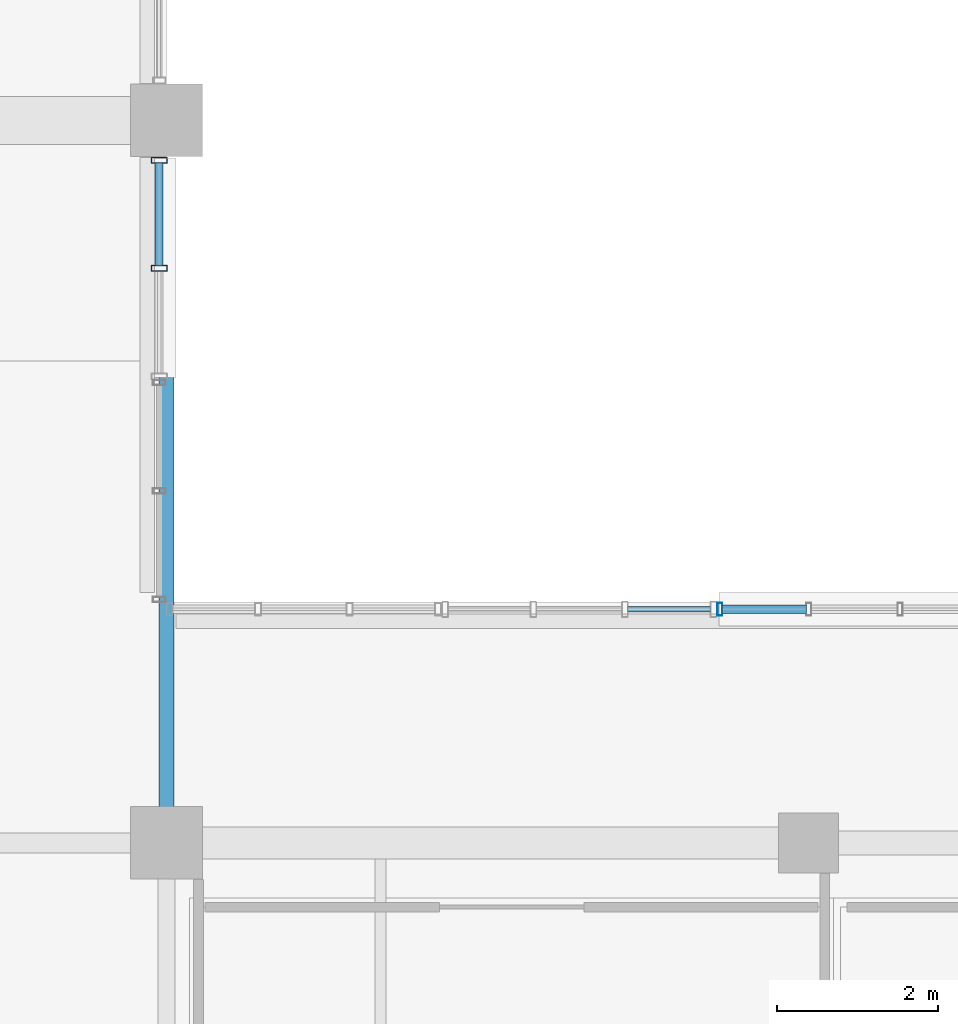
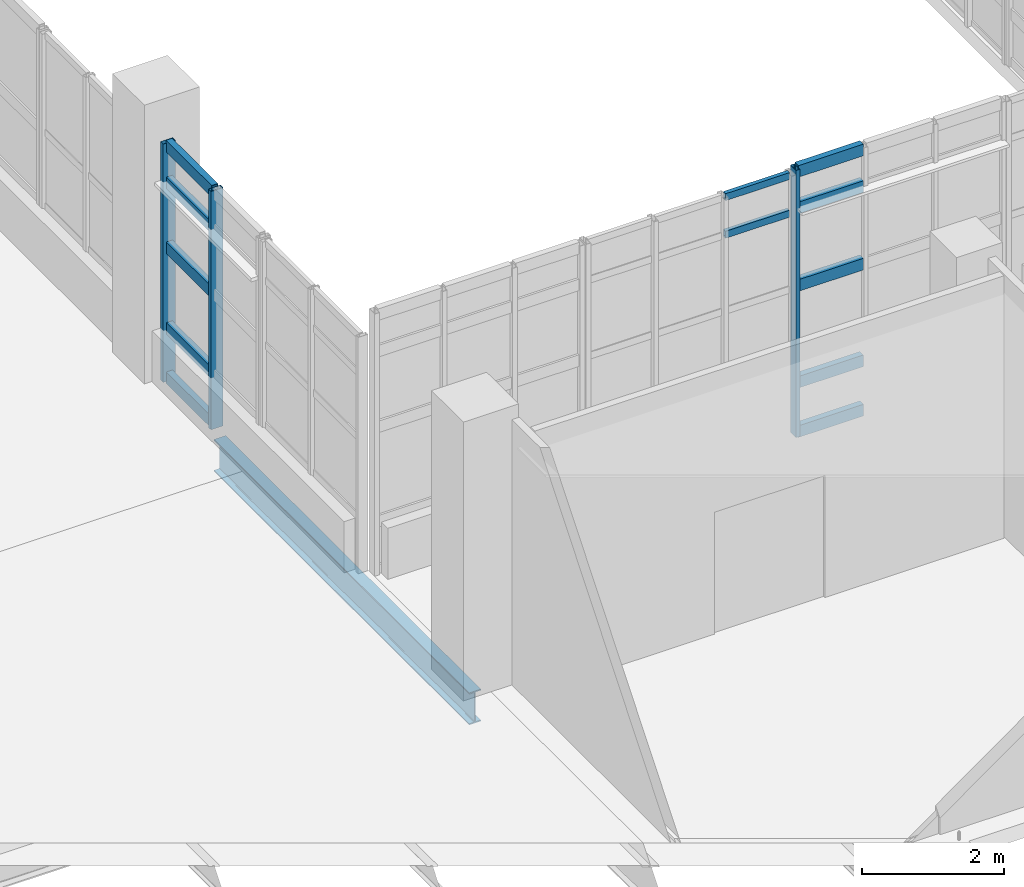
# One storey, part 22 of 102: 15 members, 1 beam, 3 elements without a shape of their own.
"""IFC4 building model written with IfcOpenShell, lengths in metres."""

import ifcopenshell
import ifcopenshell.guid

model = None  # the IFC model being written
_history = None  # IfcOwnerHistory: only IFC2X3 demands one
_inside = {}  # id of a spatial element -> (the spatial element, [elements in it])
_under = {}  # id of a project, library or spatial element -> (it, [spatial elements below it])
_declared = {}  # id of a project -> (the project, [libraries it declares])
_typed = {}  # id of a type object -> (the type object, [elements of that type])
_made_of = {}  # id of a material, layer set ... -> (it, [elements and type objects made of it])


def new_model(schema):
    """Start an empty IFC model of exactly this schema.

    Asked for "IFC4X3", IfcOpenShell would pick the latest addendum, in which some entities
    have other attributes; the version numbers below select the first issue.
    IFC2X3 requires an IfcOwnerHistory on every rooted entity: one is made here for all.
    """
    global model, _history
    if schema == "IFC4X3":
        model = ifcopenshell.file(schema_version=(4, 3, 0, 0))
    else:
        model = ifcopenshell.file(schema=schema)
    _inside.clear()
    _under.clear()
    _declared.clear()
    _typed.clear()
    _made_of.clear()
    _history = None
    if model.schema == "IFC2X3":
        org = make("IfcOrganization", Name="unknown")
        user = make(
            "IfcPersonAndOrganization",
            ThePerson=make("IfcPerson", FamilyName="unknown"),
            TheOrganization=org,
        )
        app = make(
            "IfcApplication",
            ApplicationDeveloper=org,
            Version="unknown",
            ApplicationFullName="unknown",
            ApplicationIdentifier="unknown",
        )
        _history = make(
            "IfcOwnerHistory",
            OwningUser=user,
            OwningApplication=app,
            ChangeAction="ADDED",
            CreationDate=0,
        )
    return model


def make(cls, **values):
    """One entity of the class cls with the attributes given. An attribute that is None is left unset."""
    return model.create_entity(
        cls, **{name: value for name, value in values.items() if value is not None}
    )


def rooted(cls, **values):
    """An entity with a GlobalId (a new one), such as an element, a storey or a relation."""
    return make(cls, GlobalId=ifcopenshell.guid.new(), OwnerHistory=_history, **values)


def si_unit(unit_type, name, prefix=None):
    """IfcSIUnit, for example si_unit("LENGTHUNIT", "METRE", prefix="MILLI")."""
    return make("IfcSIUnit", UnitType=unit_type, Prefix=prefix, Name=name)


def derived_unit(unit_type, elements):
    """IfcDerivedUnit: a product of units, each with its exponent."""
    return make(
        "IfcDerivedUnit",
        Elements=[
            make("IfcDerivedUnitElement", Unit=unit, Exponent=power)
            for unit, power in elements
        ],
        UnitType=unit_type,
    )


def assignment(units):
    """IfcUnitAssignment: the units of a project."""
    return None if units is None else make("IfcUnitAssignment", Units=units)


def point(xyz):
    """IfcCartesianPoint."""
    return None if xyz is None else make("IfcCartesianPoint", Coordinates=xyz)


def direction(xyz):
    """IfcDirection."""
    return None if xyz is None else make("IfcDirection", DirectionRatios=xyz)


def frame(location, z_axis=None, x_axis=None):
    """IfcAxis2Placement3D, a coordinate frame: its origin and axes. An axis left out is left unset."""
    return make(
        "IfcAxis2Placement3D",
        Location=point(location),
        Axis=direction(z_axis),
        RefDirection=direction(x_axis),
    )


def frame_2d(location, x_axis=None):
    """IfcAxis2Placement2D, a coordinate frame in the plane: its origin and x axis."""
    return make(
        "IfcAxis2Placement2D", Location=point(location), RefDirection=direction(x_axis)
    )


def origin():
    """The frame at (0, 0, 0) with its axes left unset."""
    return frame((0.0, 0.0, 0.0))


def origin_2d():
    """The frame at (0, 0) in the plane with its x axis left unset."""
    return frame_2d((0.0, 0.0))


def place(relative_to, where):
    """IfcLocalPlacement: puts the frame where relative to a parent placement (None: the world)."""
    return make(
        "IfcLocalPlacement", PlacementRelTo=relative_to, RelativePlacement=where
    )


def context(
    kind, dimensions, precision=None, world=None, true_north=None, identifier=None
):
    """IfcGeometricRepresentationContext, for example the 3D "Model" context."""
    return make(
        "IfcGeometricRepresentationContext",
        ContextIdentifier=identifier,
        ContextType=kind,
        CoordinateSpaceDimension=dimensions,
        Precision=precision,
        WorldCoordinateSystem=world,
        TrueNorth=true_north,
    )


def subcontext(parent, identifier, kind, view, scale=None):
    """IfcGeometricRepresentationSubContext, for example "Body" below "Model"."""
    return make(
        "IfcGeometricRepresentationSubContext",
        ContextIdentifier=identifier,
        ContextType=kind,
        ParentContext=parent,
        TargetScale=scale,
        TargetView=view,
    )


def project(units=None, contexts=None):
    """IfcProject with its units and contexts."""
    return rooted(
        "IfcProject",
        Name="project",
        RepresentationContexts=contexts,
        UnitsInContext=assignment(units),
    )


def spatial(cls, under=None, at=None, **own):
    """A site, building, storey or space (cls), placed at a placement, below another one or the project."""
    s = rooted(cls, ObjectPlacement=at, **own)
    if under is not None:
        _under.setdefault(under.id(), (under, []))[1].append(s)
    return s


def profile(cls, at=None, kind="AREA", **sizes):
    """A parametric profile (cls). Its sizes go by their IFC names, for example OverallWidth=200.0."""
    return make(cls, ProfileType=kind, Position=at, **sizes)


def hollow_rectangle(**sizes):
    """IfcRectangleHollowProfileDef."""
    return profile("IfcRectangleHollowProfileDef", **sizes)


def i_section(**sizes):
    """IfcIShapeProfileDef."""
    return profile("IfcIShapeProfileDef", **sizes)


def extrude(swept, where, along, depth):
    """IfcExtrudedAreaSolid: the profile swept, set in the frame where, extruded along a direction by depth."""
    return make(
        "IfcExtrudedAreaSolid",
        SweptArea=swept,
        Position=where,
        ExtrudedDirection=direction(along),
        Depth=depth,
    )


def shape(context_of_items, identifier, shape_type, items):
    """IfcShapeRepresentation: the items that make up one representation, for example the "Body"."""
    return make(
        "IfcShapeRepresentation",
        ContextOfItems=context_of_items,
        RepresentationIdentifier=identifier,
        RepresentationType=shape_type,
        Items=items,
    )


def material(Name=None, Category=None):
    """IfcMaterial."""
    return make("IfcMaterial", Name=Name, Category=Category)


def layer(
    of_material, thickness, ventilated=None, Name=None, Category=None, Priority=None
):
    """IfcMaterialLayer: one layer of a wall or slab, of a material (None: an air gap)."""
    return make(
        "IfcMaterialLayer",
        Material=of_material,
        LayerThickness=thickness,
        IsVentilated=ventilated,
        Name=Name,
        Category=Category,
        Priority=Priority,
    )


def layer_set(layers, Name=None):
    """IfcMaterialLayerSet."""
    return make("IfcMaterialLayerSet", MaterialLayers=layers, LayerSetName=Name)


def material_profile(
    of_material, cross_section, Name=None, Category=None, Priority=None
):
    """IfcMaterialProfile: a cross section and its material."""
    return make(
        "IfcMaterialProfile",
        Name=Name,
        Material=of_material,
        Profile=cross_section,
        Priority=Priority,
        Category=Category,
    )


def profile_set(profiles, Name=None, composite=None):
    """IfcMaterialProfileSet."""
    return make(
        "IfcMaterialProfileSet",
        Name=Name,
        MaterialProfiles=profiles,
        CompositeProfile=composite,
    )


def made_of(thing, what):
    """Note that an element or type object is made of a material, layer set ...; save() writes the relation."""
    if what is not None:
        _made_of.setdefault(what.id(), (what, []))[1].append(thing)
    return thing


def type_object(cls, material=None, **own):
    """A type object (cls), such as IfcWallType, which elements share."""
    return made_of(rooted(cls, **own), material)


def element(
    cls,
    number,
    at=None,
    inside=None,
    cuts=None,
    type_object=None,
    material=None,
    context=None,
    identifier="Body",
    shape_type=None,
    held_by="IfcProductDefinitionShape",
    body=None,
    shapes=None,
    **own,
):
    """One element of the class cls, such as IfcWall. Its Tag is "e" and its number.

    at: its placement. inside: the storey or other place that contains it. cuts: it is an
    opening in that element (IfcRelVoidsElement). A single representation is given by context,
    identifier, shape_type and body (its items); several are given by shapes. held_by: the class
    of the entity that holds the representations. save() writes the other relations.
    """
    e = rooted(cls, Tag="e%d" % number, ObjectPlacement=at, **own)
    if body is not None:
        shapes = [shape(context, identifier, shape_type, body)]
    if shapes is not None:
        e.Representation = make(held_by, Representations=shapes)
    if inside is not None:
        _inside.setdefault(inside.id(), (inside, []))[1].append(e)
    if cuts is not None:
        rooted(
            "IfcRelVoidsElement", RelatingBuildingElement=cuts, RelatedOpeningElement=e
        )
    if type_object is not None:
        _typed.setdefault(type_object.id(), (type_object, []))[1].append(e)
    return made_of(e, material)


def aggregate(whole, parts):
    """IfcRelAggregates: a whole, such as a stair, and the parts it consists of."""
    return rooted("IfcRelAggregates", RelatingObject=whole, RelatedObjects=parts)


def save(model, path):
    """Write the relations noted so far, then the file.

    IfcRelAggregates (storeys below a building ...), IfcRelContainedInSpatialStructure (elements
    in a storey), IfcRelDefinesByType, IfcRelAssociatesMaterial and IfcRelDeclares: one each for
    every whole, place, type object, material and project.
    """
    for whole, parts in _under.values():
        aggregate(whole, parts)
    for where, things in _inside.values():
        rooted(
            "IfcRelContainedInSpatialStructure",
            RelatedElements=things,
            RelatingStructure=where,
        )
    for kind, things in _typed.values():
        rooted("IfcRelDefinesByType", RelatedObjects=things, RelatingType=kind)
    for what, things in _made_of.values():
        rooted("IfcRelAssociatesMaterial", RelatedObjects=things, RelatingMaterial=what)
    for by, libraries in _declared.values():
        rooted("IfcRelDeclares", RelatingContext=by, RelatedDefinitions=libraries)
    model.write(path)


model = new_model("IFC4")

# Units and contexts
model_context = context("Model", 3, precision=1e-05, world=origin(), true_north=direction((0.0, 1.0)))
body_context = subcontext(model_context, "Body", "Model", "MODEL_VIEW")
ifc_project = project(units=[si_unit("LENGTHUNIT", "METRE"), si_unit("AREAUNIT", "SQUARE_METRE"), si_unit("VOLUMEUNIT", "CUBIC_METRE"), si_unit("PLANEANGLEUNIT", "RADIAN"), si_unit("MASSUNIT", "GRAM", prefix="KILO"), derived_unit("THERMALTRANSMITTANCEUNIT", [(si_unit("POWERUNIT", "WATT"), 1), (si_unit("LENGTHUNIT", "METRE"), -2), (si_unit("THERMODYNAMICTEMPERATUREUNIT", "KELVIN"), -1)])], contexts=[model_context])

# Site, building, storey
site_placement = place(None, origin())
site = spatial("IfcSite", under=ifc_project, at=site_placement, CompositionType="ELEMENT")
building_placement = place(site_placement, origin())
building = spatial("IfcBuilding", under=site, at=building_placement, Name="Nallur Shell Playhouse", CompositionType="ELEMENT")
storey_placement = place(building_placement, frame((0.0, 0.0, 15.0)))
storey = spatial("IfcBuildingStorey", under=building, at=storey_placement, Name="L04", CompositionType="ELEMENT", Elevation=15.0)

# Beam
ifc_material_1 = material(Name="Steel E350", Category="steel")
ifc_material_profile_1 = material_profile(ifc_material_1, i_section(OverallWidth=0.18994140625, OverallDepth=0.550048828125, WebThickness=0.01123046875, FlangeThickness=0.019287109375, FilletRadius=0.01806640625, at=origin_2d()), Name="ISMB 550")
ifc_profile_set_1 = profile_set([ifc_material_profile_1], Name="Steel E350")
beam_type = type_object("IfcBeamType", Name="BM-ST-ISMB550", PredefinedType="BEAM", material=ifc_profile_set_1)
beam_placement = place(storey_placement, frame((40.0, 41.0, -0.534912109375), z_axis=(0.0, 1.0, 0.0), x_axis=(-1.0, 0.0, 0.0)))
element("IfcBeam", 1, at=beam_placement, inside=storey, type_object=beam_type, Name="L04 girder Y-5-825", PredefinedType="BEAM", context=body_context, shape_type="SweptSolid", body=[
    extrude(i_section(OverallWidth=0.18994140625, OverallDepth=0.550048828125, WebThickness=0.01123046875, FlangeThickness=0.019287109375, FilletRadius=0.01806640625, at=origin_2d()), origin(), (0.0, 0.0, 1.0), 7.199951171875),
])

# Curtain wall, member
ifc_material_2 = material(Name="Anodised Aluminium Double-Glazed Facade System", Category="aluminium")
ifc_layer_1 = layer(ifc_material_2, 0.16796875)
ifc_layer_set_1 = layer_set([ifc_layer_1], Name="Anodised Aluminium Double-Glazed Facade System")
curtain_wall_type_1 = type_object("IfcCurtainWallType", Name="CW-UNIT-20", PredefinedType="NOTDEFINED", material=ifc_layer_set_1)
curtain_wall_1_placement = place(storey_placement, origin())
curtain_wall_1 = element("IfcCurtainWall", 2, at=curtain_wall_1_placement, inside=storey, type_object=curtain_wall_type_1, Name="Unitised curtain wall CW-148 (L04)", PredefinedType="NOTDEFINED")
ifc_material_3 = material(Name="Aluminium Alloy 6063-T6 Mullion", Category="aluminium")
ifc_material_profile_2 = material_profile(ifc_material_3, hollow_rectangle(XDim=0.06494140625, YDim=0.159912109375, WallThickness=0.00390625, at=origin_2d()), Name="ALU 65x160x4")
ifc_profile_set_2 = profile_set([ifc_material_profile_2], Name="Aluminium Alloy 6063-T6 Mullion")
member_type_1 = type_object("IfcMemberType", Name="MB-CW-MUL160", PredefinedType="MULLION", material=ifc_profile_set_2)
member_1_placement = place(storey_placement, frame((46.89453125, 43.909912109375, -0.014892578125), z_axis=(0.0, 0.0, 1.0), x_axis=(1.0, 0.0, 0.0)))
member_1 = element("IfcMember", 3, at=member_1_placement, type_object=member_type_1, Name="CW-20 mullion 1", PredefinedType="MULLION", context=body_context, shape_type="SweptSolid", body=[
    extrude(hollow_rectangle(XDim=0.06494140625, YDim=0.159912109375, WallThickness=0.00390625, at=origin_2d()), origin(), (0.0, 0.0, 1.0), 4.598876953125),
])

# Curtain wall, members
ifc_layer_2 = layer(ifc_material_2, 0.176025390625)
ifc_layer_set_2 = layer_set([ifc_layer_2], Name="Anodised Aluminium Double-Glazed Facade System")
curtain_wall_type_2 = type_object("IfcCurtainWallType", Name="CW-UNIT-16", PredefinedType="NOTDEFINED", material=ifc_layer_set_2)
curtain_wall_2_placement = place(storey_placement, origin())
curtain_wall_2 = element("IfcCurtainWall", 4, at=curtain_wall_2_placement, inside=storey, type_object=curtain_wall_type_2, Name="Unitised curtain wall CW-144 (L04)", PredefinedType="NOTDEFINED")
ifc_material_profile_3 = material_profile(ifc_material_3, hollow_rectangle(XDim=0.074951171875, YDim=0.199951171875, WallThickness=0.0048828125, at=origin_2d()), Name="ALU 75x200x5")
ifc_profile_set_3 = profile_set([ifc_material_profile_3], Name="Aluminium Alloy 6063-T6 Mullion")
member_type_2 = type_object("IfcMemberType", Name="MB-CW-MUL180", PredefinedType="MULLION", material=ifc_profile_set_3)
member_2_placement = place(storey_placement, frame((39.909912109375, 49.50439453125, -0.014892578125), z_axis=(0.0, 0.0, 1.0), x_axis=(0.0, -1.0, 0.0)))
member_2 = element("IfcMember", 5, at=member_2_placement, type_object=member_type_2, Name="CW-16 mullion 1", PredefinedType="MULLION", context=body_context, shape_type="SweptSolid", body=[
    extrude(hollow_rectangle(XDim=0.074951171875, YDim=0.199951171875, WallThickness=0.0048828125, at=origin_2d()), origin(), (0.0, 0.0, 1.0), 4.10400390625),
])
member_3_placement = place(storey_placement, frame((39.909912109375, 48.158935546875, -0.014892578125), z_axis=(0.0, 0.0, 1.0), x_axis=(0.0, -1.0, 0.0)))
member_3 = element("IfcMember", 6, at=member_3_placement, type_object=member_type_2, Name="CW-16 mullion 2", PredefinedType="MULLION", context=body_context, shape_type="SweptSolid", body=[
    extrude(hollow_rectangle(XDim=0.074951171875, YDim=0.199951171875, WallThickness=0.0048828125, at=origin_2d()), origin(), (0.0, 0.0, 1.0), 4.10400390625),
])

ifc_layer_3 = layer(ifc_material_2, 0.1640625)
ifc_layer_set_3 = layer_set([ifc_layer_3], Name="Anodised Aluminium Double-Glazed Facade System")
curtain_wall_type_3 = type_object("IfcCurtainWallType", Name="CW-UNIT-19", PredefinedType="NOTDEFINED", material=ifc_layer_set_3)
curtain_wall_3_placement = place(storey_placement, origin())
curtain_wall_3 = element("IfcCurtainWall", 7, at=curtain_wall_3_placement, inside=storey, type_object=curtain_wall_type_3, Name="Unitised curtain wall CW-147 (L04)", PredefinedType="NOTDEFINED")
ifc_material_4 = material(Name="Aluminium Alloy 6063-T6 Transom", Category="aluminium")
ifc_material_profile_4 = material_profile(ifc_material_4, hollow_rectangle(XDim=0.06494140625, YDim=0.1201171875, WallThickness=0.00390625, at=origin_2d()), Name="ALU 65x120x4")
ifc_profile_set_4 = profile_set([ifc_material_profile_4], Name="Aluminium Alloy 6063-T6 Transom")
member_type_3 = type_object("IfcMemberType", Name="MB-CW-TRN120", PredefinedType="USERDEFINED", material=ifc_profile_set_4)
member_4_placement = place(storey_placement, frame((45.7421875, 43.909912109375, 3.840087890625), z_axis=(1.0, 0.0, 0.0), x_axis=(0.0, 1.0, 0.0)))
member_4 = element("IfcMember", 8, at=member_4_placement, type_object=member_type_3, Name="CW-19 transom 3.4", ObjectType="TRANSOM", PredefinedType="USERDEFINED", context=body_context, shape_type="SweptSolid", body=[
    extrude(hollow_rectangle(XDim=0.06494140625, YDim=0.1201171875, WallThickness=0.00390625, at=origin_2d()), origin(), (0.0, 0.0, 1.0), 1.04296875),
])
member_5_placement = place(storey_placement, frame((45.7421875, 43.909912109375, 4.487548828125), z_axis=(1.0, 0.0, 0.0), x_axis=(0.0, 1.0, 0.0)))
member_5 = element("IfcMember", 9, at=member_5_placement, type_object=member_type_3, Name="CW-19 transom 3.5", ObjectType="TRANSOM", PredefinedType="USERDEFINED", context=body_context, shape_type="SweptSolid", body=[
    extrude(hollow_rectangle(XDim=0.06494140625, YDim=0.1201171875, WallThickness=0.00390625, at=origin_2d()), origin(), (0.0, 0.0, 1.0), 1.04296875),
])
aggregate(curtain_wall_3, [member_4, member_5])

# Member
ifc_material_profile_5 = material_profile(ifc_material_4, hollow_rectangle(XDim=0.10009765625, YDim=0.199951171875, WallThickness=0.008056640625, at=origin_2d()), Name="RHS 200x100x8")
ifc_profile_set_5 = profile_set([ifc_material_profile_5], Name="Aluminium Alloy 6063-T6 Transom")
member_type_4 = type_object("IfcMemberType", Name="MB-CW-TRN140", PredefinedType="USERDEFINED", material=ifc_profile_set_5)
member_6_placement = place(storey_placement, frame((39.909912109375, 49.47509765625, 0.050048828125), z_axis=(0.0, -1.0, 0.0), x_axis=(1.0, 0.0, 0.0)))
member_6 = element("IfcMember", 10, at=member_6_placement, type_object=member_type_4, Name="CW-16 transom 1.1", ObjectType="TRANSOM", PredefinedType="USERDEFINED", context=body_context, shape_type="SweptSolid", body=[
    extrude(hollow_rectangle(XDim=0.10009765625, YDim=0.199951171875, WallThickness=0.008056640625, at=origin_2d()), origin(), (0.0, 0.0, 1.0), 1.28662109375),
])

member_7_placement = place(storey_placement, frame((39.909912109375, 49.47509765625, 0.89990234375), z_axis=(0.0, -1.0, 0.0), x_axis=(1.0, 0.0, 0.0)))
member_7 = element("IfcMember", 11, at=member_7_placement, type_object=member_type_4, Name="CW-16 transom 1.2", ObjectType="TRANSOM", PredefinedType="USERDEFINED", context=body_context, shape_type="SweptSolid", body=[
    extrude(hollow_rectangle(XDim=0.10009765625, YDim=0.199951171875, WallThickness=0.008056640625, at=origin_2d()), origin(), (0.0, 0.0, 1.0), 1.28662109375),
])

member_8_placement = place(storey_placement, frame((39.909912109375, 49.47509765625, 2.2880859375), z_axis=(0.0, -1.0, 0.0), x_axis=(1.0, 0.0, 0.0)))
member_8 = element("IfcMember", 12, at=member_8_placement, type_object=member_type_4, Name="CW-16 transom 1.3", ObjectType="TRANSOM", PredefinedType="USERDEFINED", context=body_context, shape_type="SweptSolid", body=[
    extrude(hollow_rectangle(XDim=0.10009765625, YDim=0.199951171875, WallThickness=0.008056640625, at=origin_2d()), origin(), (0.0, 0.0, 1.0), 1.28662109375),
])

member_9_placement = place(storey_placement, frame((39.909912109375, 49.47509765625, 3.405029296875), z_axis=(0.0, -1.0, 0.0), x_axis=(1.0, 0.0, 0.0)))
member_9 = element("IfcMember", 13, at=member_9_placement, type_object=member_type_4, Name="CW-16 transom 1.4", ObjectType="TRANSOM", PredefinedType="USERDEFINED", context=body_context, shape_type="SweptSolid", body=[
    extrude(hollow_rectangle(XDim=0.10009765625, YDim=0.199951171875, WallThickness=0.008056640625, at=origin_2d()), origin(), (0.0, 0.0, 1.0), 1.28662109375),
])

member_10_placement = place(storey_placement, frame((39.909912109375, 49.47509765625, 4.034912109375), z_axis=(0.0, -1.0, 0.0), x_axis=(1.0, 0.0, 0.0)))
member_10 = element("IfcMember", 14, at=member_10_placement, type_object=member_type_4, Name="CW-16 transom 1.5", ObjectType="TRANSOM", PredefinedType="USERDEFINED", context=body_context, shape_type="SweptSolid", body=[
    extrude(hollow_rectangle(XDim=0.10009765625, YDim=0.199951171875, WallThickness=0.008056640625, at=origin_2d()), origin(), (0.0, 0.0, 1.0), 1.28662109375),
])

aggregate(curtain_wall_2, [member_2, member_3, member_6, member_7, member_8, member_9, member_10])

member_11_placement = place(storey_placement, frame((46.919189453125, 43.909912109375, 0.050048828125), z_axis=(1.0, 0.0, 0.0), x_axis=(0.0, 1.0, 0.0)))
member_11 = element("IfcMember", 15, at=member_11_placement, type_object=member_type_4, Name="CW-20 transom 1.1", ObjectType="TRANSOM", PredefinedType="USERDEFINED", context=body_context, shape_type="SweptSolid", body=[
    extrude(hollow_rectangle(XDim=0.10009765625, YDim=0.199951171875, WallThickness=0.008056640625, at=origin_2d()), origin(), (0.0, 0.0, 1.0), 1.057861328125),
])

member_12_placement = place(storey_placement, frame((46.919189453125, 43.909912109375, 0.89990234375), z_axis=(1.0, 0.0, 0.0), x_axis=(0.0, 1.0, 0.0)))
member_12 = element("IfcMember", 16, at=member_12_placement, type_object=member_type_4, Name="CW-20 transom 1.2", ObjectType="TRANSOM", PredefinedType="USERDEFINED", context=body_context, shape_type="SweptSolid", body=[
    extrude(hollow_rectangle(XDim=0.10009765625, YDim=0.199951171875, WallThickness=0.008056640625, at=origin_2d()), origin(), (0.0, 0.0, 1.0), 1.057861328125),
])

member_13_placement = place(storey_placement, frame((46.919189453125, 43.909912109375, 2.56494140625), z_axis=(1.0, 0.0, 0.0), x_axis=(0.0, 1.0, 0.0)))
member_13 = element("IfcMember", 17, at=member_13_placement, type_object=member_type_4, Name="CW-20 transom 1.3", ObjectType="TRANSOM", PredefinedType="USERDEFINED", context=body_context, shape_type="SweptSolid", body=[
    extrude(hollow_rectangle(XDim=0.10009765625, YDim=0.199951171875, WallThickness=0.008056640625, at=origin_2d()), origin(), (0.0, 0.0, 1.0), 1.057861328125),
])

member_14_placement = place(storey_placement, frame((46.919189453125, 43.909912109375, 3.89990234375), z_axis=(1.0, 0.0, 0.0), x_axis=(0.0, 1.0, 0.0)))
member_14 = element("IfcMember", 18, at=member_14_placement, type_object=member_type_4, Name="CW-20 transom 1.4", ObjectType="TRANSOM", PredefinedType="USERDEFINED", context=body_context, shape_type="SweptSolid", body=[
    extrude(hollow_rectangle(XDim=0.10009765625, YDim=0.199951171875, WallThickness=0.008056640625, at=origin_2d()), origin(), (0.0, 0.0, 1.0), 1.057861328125),
])

member_15_placement = place(storey_placement, frame((46.919189453125, 43.909912109375, 4.530029296875), z_axis=(1.0, 0.0, 0.0), x_axis=(0.0, 1.0, 0.0)))
member_15 = element("IfcMember", 19, at=member_15_placement, type_object=member_type_4, Name="CW-20 transom 1.5", ObjectType="TRANSOM", PredefinedType="USERDEFINED", context=body_context, shape_type="SweptSolid", body=[
    extrude(hollow_rectangle(XDim=0.10009765625, YDim=0.199951171875, WallThickness=0.008056640625, at=origin_2d()), origin(), (0.0, 0.0, 1.0), 1.057861328125),
])

aggregate(curtain_wall_1, [member_1, member_11, member_12, member_13, member_14, member_15])

save(model, "model.ifc")
